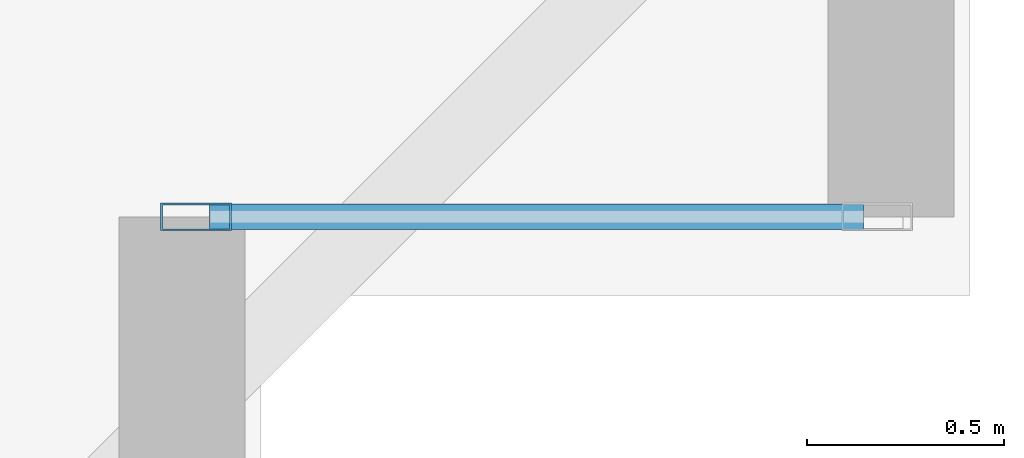
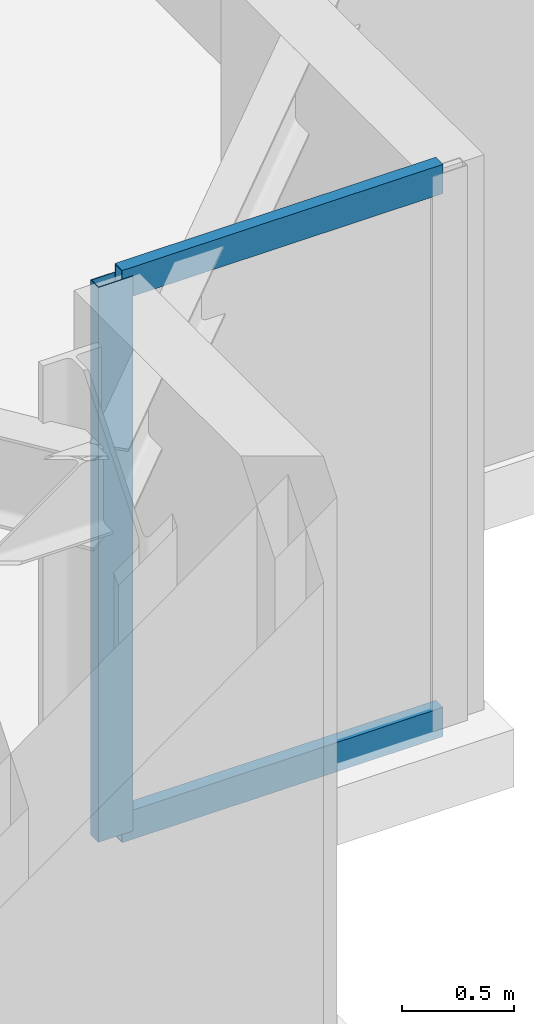
# One storey, part 6 of 21: 3 members, 1 element without a shape of its own.
"""IFC4 building model written with IfcOpenShell, lengths in metres."""

from ifc_helpers import new_model, si_unit, direction, frame, origin, origin_2d, place, context, subcontext, project, spatial, hollow_rectangle, extrude, material, layer, layer_set, material_profile, profile_set, type_object, element, aggregate, save


model = new_model("IFC4")

# Units and contexts
model_context = context("Model", 3, precision=1e-05, world=origin(), true_north=direction((0.0, 1.0)))
body_context = subcontext(model_context, "Body", "Model", "MODEL_VIEW")
ifc_project = project(units=[si_unit("LENGTHUNIT", "METRE"), si_unit("AREAUNIT", "SQUARE_METRE"), si_unit("VOLUMEUNIT", "CUBIC_METRE"), si_unit("PLANEANGLEUNIT", "RADIAN"), si_unit("MASSUNIT", "GRAM", prefix="KILO")], contexts=[model_context])

# Site, building, storey
site_placement = place(None, origin())
site = spatial("IfcSite", under=ifc_project, at=site_placement, CompositionType="ELEMENT")
building_placement = place(site_placement, origin())
building = spatial("IfcBuilding", under=site, at=building_placement, Name="Qobustan Lattice House", CompositionType="ELEMENT")
storey_placement = place(building_placement, frame((0.0, 0.0, 40.39990234375)))
storey = spatial("IfcBuildingStorey", under=building, at=storey_placement, Name="L10", CompositionType="ELEMENT", Elevation=40.39990234375)

# Curtain wall, members
ifc_material_1 = material(Name="Anodised aluminium and low-E glazing", Category="aluminium")
ifc_layer = layer(ifc_material_1, 0.219970703125)
ifc_layer_set = layer_set([ifc_layer], Name="Anodised aluminium and low-E glazing")
curtain_wall_type = type_object("IfcCurtainWallType", Name="CW-FAC-01", PredefinedType="USERDEFINED", material=ifc_layer_set)
curtain_wall_placement = place(storey_placement, origin())
curtain_wall = element("IfcCurtainWall", 1, at=curtain_wall_placement, inside=storey, type_object=curtain_wall_type, Name="L10 serrated corner faceted glazing 18", ObjectType="CURTAIN WALL", PredefinedType="USERDEFINED")
ifc_material_2 = material(Name="Anodised aluminium EN AW-6063 T6", Category="aluminium")
ifc_material_profile_1 = material_profile(ifc_material_2, hollow_rectangle(XDim=0.070068359375, YDim=0.179931640625, WallThickness=0.00439453125, at=origin_2d()), Name="CWM-180x70")
ifc_profile_set_1 = profile_set([ifc_material_profile_1], Name="Anodised aluminium EN AW-6063 T6")
member_type_1 = type_object("IfcMemberType", Name="CWM-STD-180", PredefinedType="MULLION", material=ifc_profile_set_1)
member_1_placement = place(storey_placement, frame((29.235107421875, -17.60009765625, 0.0), z_axis=(0.0, 0.0, 1.0), x_axis=(0.0, -1.0, 0.0)))
member_1 = element("IfcMember", 2, at=member_1_placement, type_object=member_type_1, Name="CW-F1 mullion 2", PredefinedType="MULLION", context=body_context, shape_type="SweptSolid", body=[
    extrude(hollow_rectangle(XDim=0.070068359375, YDim=0.179931640625, WallThickness=0.00439453125, at=origin_2d()), origin(), (0.0, 0.0, 1.0), 3.03515625),
])
ifc_material_3 = material(Name="Anodised aluminium EN AW-6063 T6", Category="aluminium")
ifc_material_profile_2 = material_profile(ifc_material_3, hollow_rectangle(XDim=0.06494140625, YDim=0.159912109375, WallThickness=0.00390625, at=origin_2d()), Name="CWT-160x65")
ifc_profile_set_2 = profile_set([ifc_material_profile_2], Name="Anodised aluminium EN AW-6063 T6")
member_type_2 = type_object("IfcMemberType", Name="CWT-HOR-160", PredefinedType="USERDEFINED", material=ifc_profile_set_2)
member_2_placement = place(storey_placement, frame((30.929931640625, -17.60009765625, 0.03271484375), z_axis=(-1.0, 0.0, 0.0), x_axis=(0.0, -1.0, 0.0)))
member_2 = element("IfcMember", 3, at=member_2_placement, type_object=member_type_2, Name="CW-F1 transom 1.1", ObjectType="TRANSOM", PredefinedType="USERDEFINED", context=body_context, shape_type="SweptSolid", body=[
    extrude(hollow_rectangle(XDim=0.06494140625, YDim=0.159912109375, WallThickness=0.00390625, at=origin_2d()), origin(), (0.0, 0.0, 1.0), 1.659912109375),
])
member_3_placement = place(storey_placement, frame((30.929931640625, -17.60009765625, 3.002685546875), z_axis=(-1.0, 0.0, 0.0), x_axis=(0.0, -1.0, 0.0)))
member_3 = element("IfcMember", 4, at=member_3_placement, type_object=member_type_2, Name="CW-F1 transom 1.2", ObjectType="TRANSOM", PredefinedType="USERDEFINED", context=body_context, shape_type="SweptSolid", body=[
    extrude(hollow_rectangle(XDim=0.06494140625, YDim=0.159912109375, WallThickness=0.00390625, at=origin_2d()), origin(), (0.0, 0.0, 1.0), 1.659912109375),
])
aggregate(curtain_wall, [member_1, member_2, member_3])

save(model, "model.ifc")
